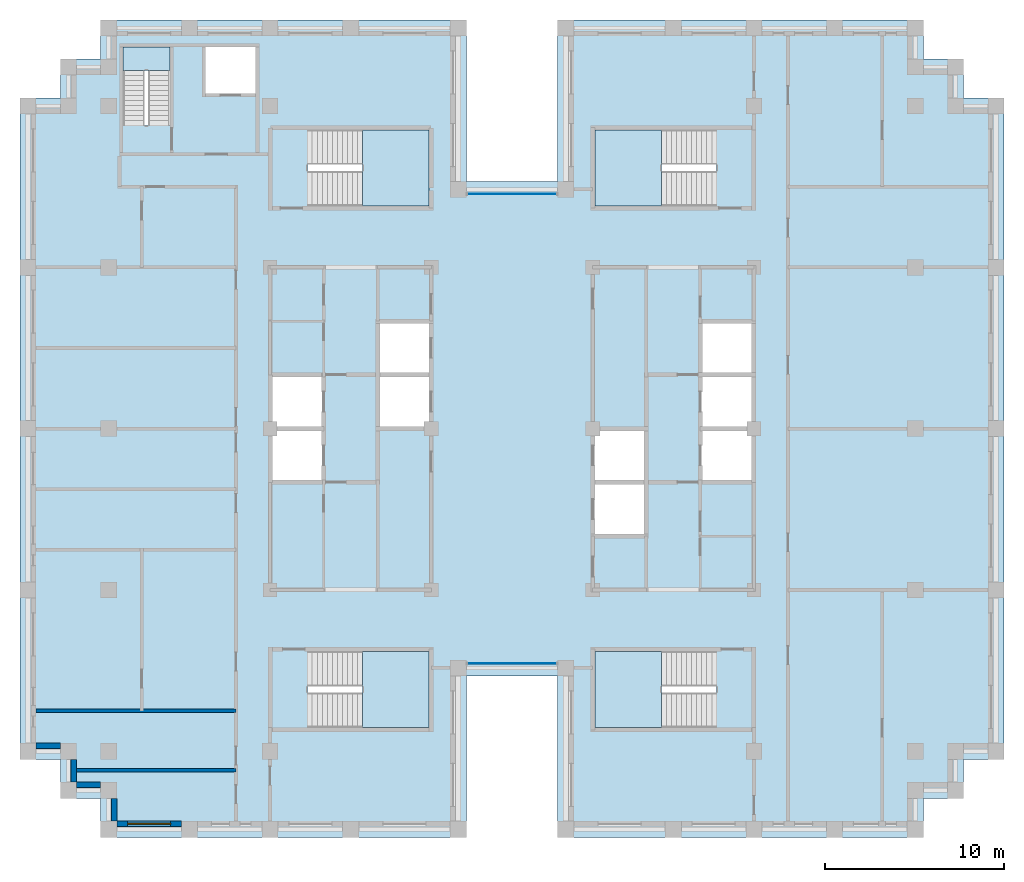
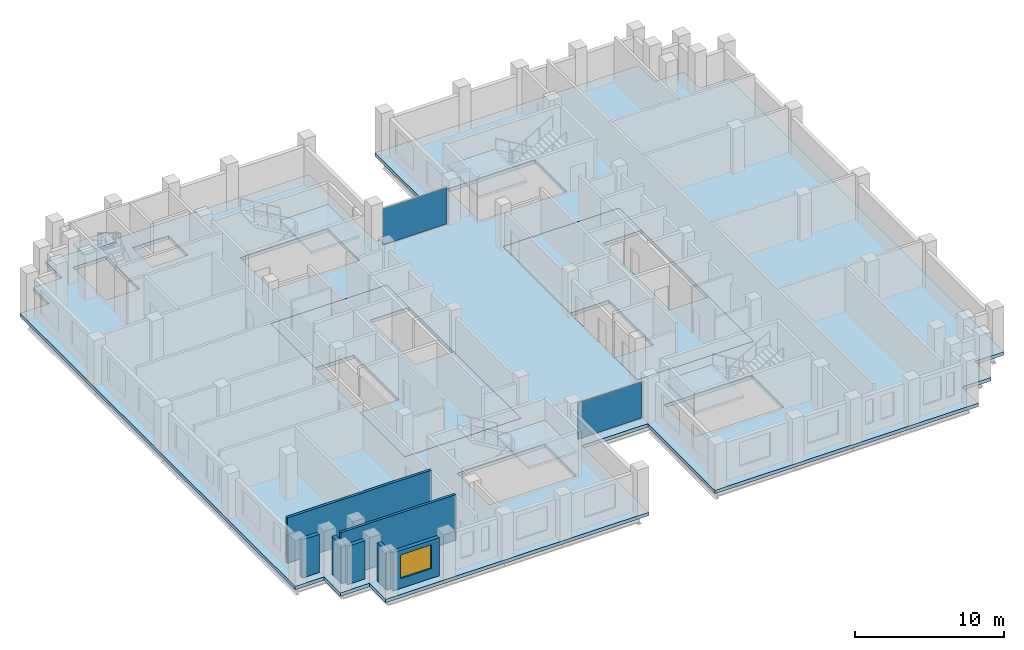
# One storey, part 5 of 13: 8 slabs, 7 walls, 2 plates, 1 window, 1 opening, 7 elements without a shape of their own.
"""IFC4 building model written with IfcOpenShell, lengths in metres."""

from ifc_helpers import new_model, si_unit, direction, frame, frame_2d, origin, origin_2d, place, context, subcontext, project, spatial, polyline, rectangle, outline, extrude, material, layer, layer_set, type_object, element, fill, aggregate, save


model = new_model("IFC4")

# Units and contexts
model_context = context("Model", 3, precision=1e-05, world=origin(), true_north=direction((0.0, 1.0)))
body_context = subcontext(model_context, "Body", "Model", "MODEL_VIEW")
ifc_project = project(units=[si_unit("LENGTHUNIT", "METRE"), si_unit("AREAUNIT", "SQUARE_METRE"), si_unit("VOLUMEUNIT", "CUBIC_METRE"), si_unit("PLANEANGLEUNIT", "RADIAN"), si_unit("MASSUNIT", "GRAM", prefix="KILO")], contexts=[model_context])

# Site, building, storey
site_placement = place(None, origin())
site = spatial("IfcSite", under=ifc_project, at=site_placement, CompositionType="ELEMENT")
building_placement = place(site_placement, origin())
building = spatial("IfcBuilding", under=site, at=building_placement, Name="Corbelhall Arena Tower", CompositionType="ELEMENT")
storey_placement = place(building_placement, frame((0.0, 0.0, 278.0)))
storey = spatial("IfcBuildingStorey", under=building, at=storey_placement, Name="L60", CompositionType="ELEMENT", Elevation=278.0)

# Curtain wall, plate
ifc_material_1 = material(Name="Aluminium black anodised", Category="aluminium")
ifc_layer_1 = layer(ifc_material_1, 0.199951171875)
ifc_layer_set_1 = layer_set([ifc_layer_1], Name="EV-CW1 Slot back wall")
curtain_wall_type = type_object("IfcCurtainWallType", Name="EV-CW1 Slot back wall", PredefinedType="NOTDEFINED", material=ifc_layer_set_1)
curtain_wall_1_placement = place(storey_placement, origin())
curtain_wall_1 = element("IfcCurtainWall", 1, at=curtain_wall_1_placement, inside=storey, type_object=curtain_wall_type, Name="Curtain wall CW1", PredefinedType="NOTDEFINED")
ifc_material_2 = material(Name="Glass dark tinted laminated", Category="glass")
ifc_layer_2 = layer(ifc_material_2, 0.028076171875)
ifc_layer_set_2 = layer_set([ifc_layer_2], Name="EV-CW1-PANEL")
plate_type = type_object("IfcPlateType", Name="EV-CW1-PANEL", PredefinedType="CURTAIN_PANEL", material=ifc_layer_set_2)
plate_1_placement = place(storey_placement, frame((0.0, -13.10009765625, 0.0751953125), z_axis=(0.0, 0.0, 1.0), x_axis=(1.0, 0.0, 0.0)))
plate_1 = element("IfcPlate", 2, at=plate_1_placement, type_object=plate_type, Name="CW1 panel 1.1", PredefinedType="CURTAIN_PANEL", context=body_context, shape_type="SweptSolid", body=[
    extrude(rectangle(XDim=4.949951171875, YDim=0.028076171875, at=origin_2d()), origin(), (0.0, 0.0, 1.0), 2.969970703125),
])
aggregate(curtain_wall_1, [plate_1])

curtain_wall_2_placement = place(storey_placement, origin())
curtain_wall_2 = element("IfcCurtainWall", 3, at=curtain_wall_2_placement, inside=storey, type_object=curtain_wall_type, Name="Curtain wall CW1", PredefinedType="NOTDEFINED")
plate_2_placement = place(storey_placement, frame((0.0, 13.10009765625, 0.0751953125), z_axis=(0.0, 0.0, 1.0), x_axis=(-1.0, 0.0, 0.0)))
plate_2 = element("IfcPlate", 4, at=plate_2_placement, type_object=plate_type, Name="CW1 panel 1.1", PredefinedType="CURTAIN_PANEL", context=body_context, shape_type="SweptSolid", body=[
    extrude(rectangle(XDim=4.949951171875, YDim=0.028076171875, at=origin_2d()), origin(), (0.0, 0.0, 1.0), 2.969970703125),
])
aggregate(curtain_wall_2, [plate_2])

# Slabs
ifc_material_3 = material(Name="Concrete C40/50", Category="concrete")
ifc_layer_3 = layer(ifc_material_3, 0.300048828125)
ifc_layer_set_3 = layer_set([ifc_layer_3], Name="IN-SL-CORE")
slab_type_1 = type_object("IfcSlabType", Name="IN-SL-CORE", PredefinedType="FLOOR", material=ifc_layer_set_3)
slab_1_placement = place(storey_placement, frame((0.0, 0.0, -0.280029296875)))
element("IfcSlab", 5, at=slab_1_placement, inside=storey, type_object=slab_type_1, Name="Core floor W", PredefinedType="FLOOR", context=body_context, shape_type="SweptSolid", body=[
    extrude(outline(polyline([(-10.5, -3.0), (-13.5, -3.0), (-13.5, -9.0), (-4.5, -9.0), (-4.5, 0.0), (-7.5, 0.0), (-7.5, 3.0), (-7.5, 6.0), (-4.5, 6.0), (-4.5, 9.0), (-13.5, 9.0), (-13.5, 3.0), (-10.5, 3.0), (-10.5, 0.0), (-10.5, -3.0)])), origin(), (0.0, 0.0, 1.0), 0.280029296875),
])
slab_2_placement = place(storey_placement, frame((0.0, 0.0, -0.280029296875)))
element("IfcSlab", 6, at=slab_2_placement, inside=storey, type_object=slab_type_1, Name="Core floor E", PredefinedType="FLOOR", context=body_context, shape_type="SweptSolid", body=[
    extrude(outline(polyline([(13.5, -3.0), (10.5, -3.0), (10.5, 0.0), (10.5, 3.0), (10.5, 6.0), (13.5, 6.0), (13.5, 9.0), (4.5, 9.0), (4.5, 0.0), (7.5, 0.0), (7.5, -3.0), (7.5, -6.0), (4.5, -6.0), (4.5, -9.0), (13.5, -9.0), (13.5, -3.0)])), origin(), (0.0, 0.0, 1.0), 0.280029296875),
])

# Stair, slab
stair_type = type_object("IfcStairType", Name="IN-ST-TOWER", PredefinedType="HALF_TURN_STAIR", material=ifc_material_3)
stair_1_placement = place(storey_placement, origin())
stair_1 = element("IfcStair", 7, at=stair_1_placement, inside=storey, type_object=stair_type, Name="L60 Exit stair ST1", PredefinedType="HALF_TURN_STAIR")
ifc_layer_4 = layer(ifc_material_3, 0.199951171875)
ifc_layer_set_4 = layer_set([ifc_layer_4], Name="IN-SL-LANDING")
slab_type_2 = type_object("IfcSlabType", Name="IN-SL-LANDING", PredefinedType="LANDING", material=ifc_layer_set_4)
slab_3_placement = place(storey_placement, frame((0.0, 0.0, 1.800048828125)))
slab_3 = element("IfcSlab", 8, at=slab_3_placement, type_object=slab_type_2, Name="ST1 landing 1", PredefinedType="LANDING", context=body_context, shape_type="SweptSolid", body=[
    extrude(outline(polyline([(-8.344970703125, 12.425048828125), (-4.625, 12.425048828125), (-4.625, 16.675048828125), (-8.344970703125, 16.675048828125), (-8.344970703125, 12.425048828125)])), origin(), (0.0, 0.0, 1.0), 0.199951171875),
])
aggregate(stair_1, [slab_3])

stair_2_placement = place(storey_placement, origin())
stair_2 = element("IfcStair", 9, at=stair_2_placement, inside=storey, type_object=stair_type, Name="L60 Exit stair ST2", PredefinedType="HALF_TURN_STAIR")
slab_4_placement = place(storey_placement, frame((0.0, 0.0, 1.800048828125)))
slab_4 = element("IfcSlab", 10, at=slab_4_placement, type_object=slab_type_2, Name="ST2 landing 1", PredefinedType="LANDING", context=body_context, shape_type="SweptSolid", body=[
    extrude(outline(polyline([(-8.344970703125, -16.675048828125), (-4.625, -16.675048828125), (-4.625, -12.425048828125), (-8.344970703125, -12.425048828125), (-8.344970703125, -16.675048828125)])), origin(), (0.0, 0.0, 1.0), 0.199951171875),
])
aggregate(stair_2, [slab_4])

stair_3_placement = place(storey_placement, origin())
stair_3 = element("IfcStair", 11, at=stair_3_placement, inside=storey, type_object=stair_type, Name="L60 Exit stair ST3", PredefinedType="HALF_TURN_STAIR")
slab_5_placement = place(storey_placement, frame((0.0, 0.0, 1.800048828125)))
slab_5 = element("IfcSlab", 12, at=slab_5_placement, type_object=slab_type_2, Name="ST3 landing 1", PredefinedType="LANDING", context=body_context, shape_type="SweptSolid", body=[
    extrude(outline(polyline([(8.344970703125, 16.675048828125), (4.625, 16.675048828125), (4.625, 12.425048828125), (8.344970703125, 12.425048828125), (8.344970703125, 16.675048828125)])), origin(), (0.0, 0.0, 1.0), 0.199951171875),
])
aggregate(stair_3, [slab_5])

stair_4_placement = place(storey_placement, origin())
stair_4 = element("IfcStair", 13, at=stair_4_placement, inside=storey, type_object=stair_type, Name="L60 Exit stair ST4", PredefinedType="HALF_TURN_STAIR")
slab_6_placement = place(storey_placement, frame((0.0, 0.0, 1.800048828125)))
slab_6 = element("IfcSlab", 14, at=slab_6_placement, type_object=slab_type_2, Name="ST4 landing 1", PredefinedType="LANDING", context=body_context, shape_type="SweptSolid", body=[
    extrude(outline(polyline([(8.344970703125, -12.425048828125), (4.625, -12.425048828125), (4.625, -16.675048828125), (8.344970703125, -16.675048828125), (8.344970703125, -12.425048828125)])), origin(), (0.0, 0.0, 1.0), 0.199951171875),
])
aggregate(stair_4, [slab_6])

stair_5_placement = place(storey_placement, origin())
stair_5 = element("IfcStair", 15, at=stair_5_placement, inside=storey, type_object=stair_type, Name="L60 Exit stair ST5", PredefinedType="HALF_TURN_STAIR")
slab_7_placement = place(storey_placement, frame((0.0, 0.0, 1.800048828125)))
slab_7 = element("IfcSlab", 16, at=slab_7_placement, type_object=slab_type_2, Name="ST5 landing 1", PredefinedType="LANDING", context=body_context, shape_type="SweptSolid", body=[
    extrude(outline(polyline([(-19.094970703125, 19.97998046875), (-19.094970703125, 21.300048828125), (-21.695068359375, 21.300048828125), (-21.695068359375, 19.97998046875), (-19.094970703125, 19.97998046875)])), origin(), (0.0, 0.0, 1.0), 0.199951171875),
])
aggregate(stair_5, [slab_7])

# Slab
ifc_layer_5 = layer(ifc_material_3, 0.280029296875)
ifc_layer_set_5 = layer_set([ifc_layer_5], Name="ST-SLAB-FLOOR-280")
slab_type_3 = type_object("IfcSlabType", Name="ST-SLAB-FLOOR-280", PredefinedType="FLOOR", material=ifc_layer_set_5)
slab_8_placement = place(storey_placement, frame((0.0, 0.0, -0.280029296875)))
element("IfcSlab", 17, at=slab_8_placement, inside=storey, type_object=slab_type_3, Name="Floor slab L60 1", PredefinedType="FLOOR", context=body_context, shape_type="SweptSolid", body=[
    extrude(outline(polyline([(22.949951171875, 22.800048828125), (2.550048828125, 22.800048828125), (2.550048828125, 13.800048828125), (-2.550048828125, 13.800048828125), (-2.550048828125, 22.800048828125), (-22.949951171875, 22.800048828125), (-22.949951171875, 20.625), (-25.199951171875, 20.625), (-25.199951171875, 18.449951171875), (-27.449951171875, 18.449951171875), (-27.449951171875, -18.449951171875), (-25.199951171875, -18.449951171875), (-25.199951171875, -20.625), (-22.949951171875, -20.625), (-22.949951171875, -22.800048828125), (-2.550048828125, -22.800048828125), (-2.550048828125, -13.800048828125), (2.550048828125, -13.800048828125), (2.550048828125, -22.800048828125), (22.949951171875, -22.800048828125), (22.949951171875, -20.625), (25.199951171875, -20.625), (25.199951171875, -18.449951171875), (27.449951171875, -18.449951171875), (27.449951171875, 18.449951171875), (25.199951171875, 18.449951171875), (25.199951171875, 20.625), (22.949951171875, 20.625), (22.949951171875, 22.800048828125)]), holes=[polyline([(-13.5, 9.0), (-13.5, -9.0), (-4.5, -9.0), (-4.5, 9.0), (-13.5, 9.0)]), polyline([(4.5, 9.0), (4.5, -9.0), (13.5, -9.0), (13.5, 9.0), (4.5, 9.0)]), polyline([(-4.625, 16.675048828125), (-11.422119140625, 16.675048828125), (-11.422119140625, 12.425048828125), (-4.625, 12.425048828125), (-4.625, 16.675048828125)]), polyline([(-4.625, -16.675048828125), (-4.625, -12.425048828125), (-11.422119140625, -12.425048828125), (-11.422119140625, -16.675048828125), (-4.625, -16.675048828125)]), polyline([(11.422119140625, 16.675048828125), (4.625, 16.675048828125), (4.625, 12.425048828125), (11.422119140625, 12.425048828125), (11.422119140625, 16.675048828125)]), polyline([(11.422119140625, -16.675048828125), (11.422119140625, -12.425048828125), (4.625, -12.425048828125), (4.625, -16.675048828125), (11.422119140625, -16.675048828125)]), polyline([(-21.695068359375, 21.300048828125), (-21.695068359375, 16.903076171875), (-19.094970703125, 16.903076171875), (-19.094970703125, 21.300048828125), (-21.695068359375, 21.300048828125)]), polyline([(-14.300048828125, 21.300048828125), (-17.10009765625, 21.300048828125), (-17.10009765625, 18.699951171875), (-14.300048828125, 18.699951171875), (-14.300048828125, 21.300048828125)])]), origin(), (0.0, 0.0, 1.0), 0.280029296875),
])

# Walls
ifc_material_4 = material(Name="Precast concrete C40/50 with granite facing", Category="masonry")
ifc_layer_6 = layer(ifc_material_4, 0.300048828125)
ifc_layer_set_6 = layer_set([ifc_layer_6], Name="EV-IW1 Infill panel 300")
wall_type_1 = type_object("IfcWallType", Name="EV-IW1 Infill panel 300", PredefinedType="SOLIDWALL", material=ifc_layer_set_6)
wall_1_placement = place(storey_placement, frame((-26.550048828125, -17.699951171875, 0.0), z_axis=(0.0, 0.0, 1.0), x_axis=(1.0, 0.0, 0.0)))
element("IfcWall", 18, at=wall_1_placement, inside=storey, type_object=wall_type_1, Name="Infill panel IW1", PredefinedType="SOLIDWALL", context=body_context, shape_type="SweptSolid", body=[
    extrude(rectangle(XDim=1.35009765625, YDim=0.300048828125, at=frame_2d((0.675048828125, 0.0))), origin(), (0.0, 0.0, 1.0), 3.1201171875),
])
wall_2_placement = place(storey_placement, frame((-24.449951171875, -18.449951171875, 0.0), z_axis=(0.0, 0.0, 1.0), x_axis=(0.0, -1.0, 0.0)))
element("IfcWall", 19, at=wall_2_placement, inside=storey, type_object=wall_type_1, Name="Infill panel IW1", PredefinedType="SOLIDWALL", context=body_context, shape_type="SweptSolid", body=[
    extrude(rectangle(XDim=1.275146484375, YDim=0.300048828125, at=frame_2d((0.6376953125, 0.0))), origin(), (0.0, 0.0, 1.0), 3.1201171875),
])
wall_3_placement = place(storey_placement, frame((-24.300048828125, -19.875, 0.0), z_axis=(0.0, 0.0, 1.0), x_axis=(1.0, 0.0, 0.0)))
element("IfcWall", 20, at=wall_3_placement, inside=storey, type_object=wall_type_1, Name="Infill panel IW1", PredefinedType="SOLIDWALL", context=body_context, shape_type="SweptSolid", body=[
    extrude(rectangle(XDim=1.35009765625, YDim=0.300048828125, at=frame_2d((0.675048828125, 0.0))), origin(), (0.0, 0.0, 1.0), 3.1201171875),
])
wall_4_placement = place(storey_placement, frame((-22.199951171875, -20.625, 0.0), z_axis=(0.0, 0.0, 1.0), x_axis=(0.0, -1.0, 0.0)))
element("IfcWall", 21, at=wall_4_placement, inside=storey, type_object=wall_type_1, Name="Infill panel IW1", PredefinedType="SOLIDWALL", context=body_context, shape_type="SweptSolid", body=[
    extrude(rectangle(XDim=1.27490234375, YDim=0.300048828125, at=frame_2d((0.637451171875, 0.0))), origin(), (0.0, 0.0, 1.0), 3.1201171875),
])

# Wall, opening, window
wall_5_placement = place(storey_placement, frame((-22.050048828125, -22.050048828125, 0.0), z_axis=(0.0, 0.0, 1.0), x_axis=(1.0, 0.0, 0.0)))
wall_5 = element("IfcWall", 22, at=wall_5_placement, inside=storey, type_object=wall_type_1, Name="Infill panel IW1", PredefinedType="SOLIDWALL", context=body_context, shape_type="SweptSolid", body=[
    extrude(rectangle(XDim=3.60009765625, YDim=0.300048828125, at=frame_2d((1.800048828125, 0.0))), origin(), (0.0, 0.0, 1.0), 3.1201171875),
])
opening_placement = place(wall_5_placement, frame((0.60009765625, 0.0, 0.800048828125)))
opening = element("IfcOpeningElement", 23, at=opening_placement, cuts=wall_5, Name="Opening WN1", PredefinedType="OPENING", context=body_context, shape_type="SweptSolid", body=[
    extrude(rectangle(XDim=2.39990234375, YDim=1.949951171875, at=frame_2d((1.199951171875, 0.97509765625))), frame((0.0, 0.14990234375, 0.0), z_axis=(0.0, -1.0, 0.0), x_axis=(1.0, 0.0, 0.0)), (0.0, 0.0, 1.0), 0.300048828125),
])
window_type = type_object("IfcWindowType", Name="EV-WN1 Office window", PartitioningType="SINGLE_PANEL", PredefinedType="WINDOW", material=ifc_material_1)
window_placement = place(opening_placement, origin())
window = element("IfcWindow", 24, at=window_placement, inside=storey, type_object=window_type, Name="Window WN1", OverallHeight=1.949951171875, OverallWidth=2.39990234375, PartitioningType="SINGLE_PANEL", PredefinedType="WINDOW", context=body_context, shape_type="SweptSolid", body=[
    extrude(rectangle(XDim=2.39990234375, YDim=1.949951171875, at=frame_2d((1.199951171875, 0.97509765625))), frame((0.0, 0.030029296875, 0.0), z_axis=(0.0, -1.0, 0.0), x_axis=(1.0, 0.0, 0.0)), (0.0, 0.0, 1.0), 0.06005859375),
])
fill(opening, window)

# Walls
ifc_material_5 = material(Name="Gypsum board on steel stud, acoustic", Category="steel")
ifc_layer_7 = layer(ifc_material_5, 0.199951171875)
ifc_layer_set_7 = layer_set([ifc_layer_7], Name="IN-W-DM200")
wall_type_2 = type_object("IfcWallType", Name="IN-W-DM200", PredefinedType="PARTITIONING", material=ifc_layer_set_7)
wall_6_placement = place(storey_placement, frame((-26.550048828125, -15.75, 0.0), z_axis=(0.0, 0.0, 1.0), x_axis=(1.0, 0.0, 0.0)))
element("IfcWall", 25, at=wall_6_placement, inside=storey, type_object=wall_type_2, Name="Partition 001", PredefinedType="PARTITIONING", context=body_context, shape_type="SweptSolid", body=[
    extrude(rectangle(XDim=11.150146484375, YDim=0.199951171875, at=frame_2d((5.5751953125, 0.0))), origin(), (0.0, 0.0, 1.0), 3.719970703125),
])
wall_7_placement = place(storey_placement, frame((-24.300048828125, -19.050048828125, 0.0), z_axis=(0.0, 0.0, 1.0), x_axis=(1.0, 0.0, 0.0)))
element("IfcWall", 26, at=wall_7_placement, inside=storey, type_object=wall_type_2, Name="Partition 006", PredefinedType="PARTITIONING", context=body_context, shape_type="SweptSolid", body=[
    extrude(rectangle(XDim=8.900146484375, YDim=0.199951171875, at=frame_2d((4.4501953125, 0.0))), origin(), (0.0, 0.0, 1.0), 3.719970703125),
])

save(model, "model.ifc")
